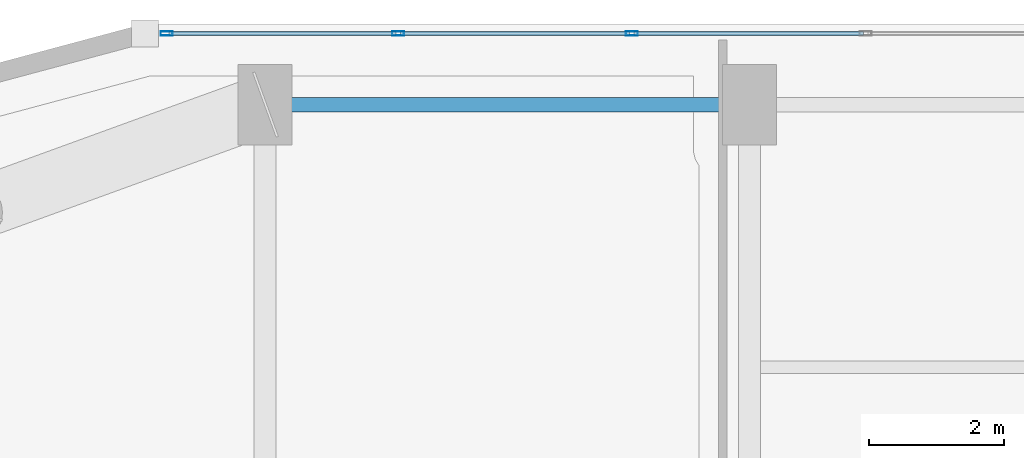
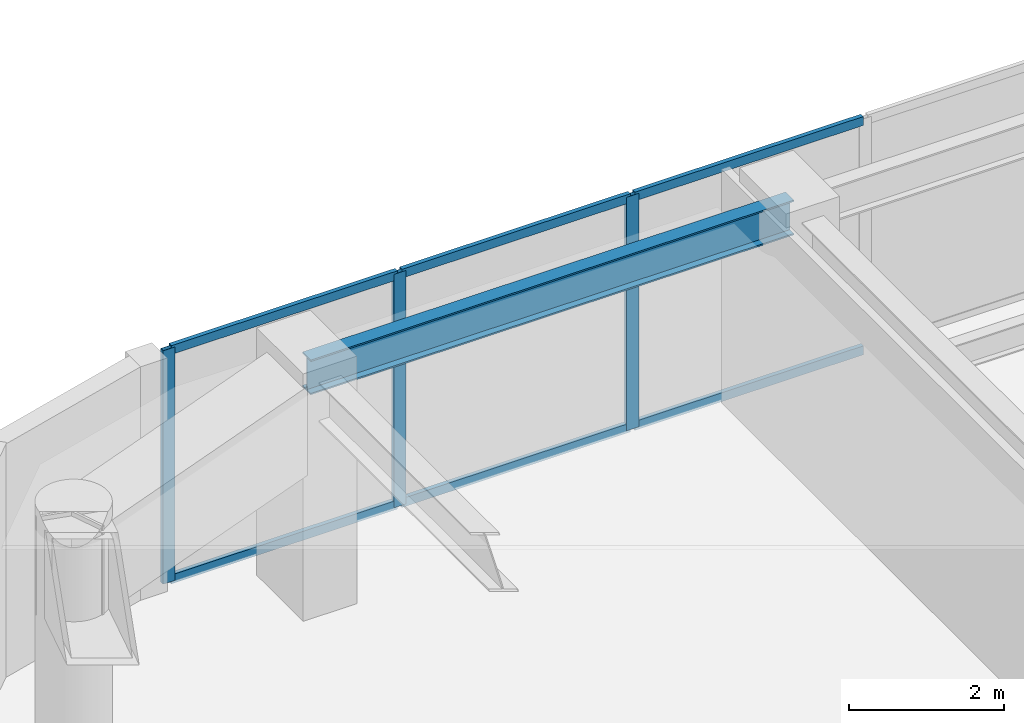
# One storey, part 17 of 30: 9 members, 1 beam, 1 element without a shape of its own.
"""IFC4 building model written with IfcOpenShell, lengths in metres."""

from ifc_helpers import new_model, si_unit, direction, frame, origin, origin_2d, place, context, subcontext, project, spatial, hollow_rectangle, i_section, extrude, material, layer, layer_set, material_profile, profile_set, type_object, element, aggregate, save


model = new_model("IFC4")

# Units and contexts
model_context = context("Model", 3, precision=1e-05, world=origin(), true_north=direction((0.0, 1.0)))
body_context = subcontext(model_context, "Body", "Model", "MODEL_VIEW")
ifc_project = project(units=[si_unit("LENGTHUNIT", "METRE"), si_unit("AREAUNIT", "SQUARE_METRE"), si_unit("VOLUMEUNIT", "CUBIC_METRE"), si_unit("PLANEANGLEUNIT", "RADIAN"), si_unit("MASSUNIT", "GRAM", prefix="KILO")], contexts=[model_context])

# Site, building, storey
site_placement = place(None, origin())
site = spatial("IfcSite", under=ifc_project, at=site_placement, CompositionType="ELEMENT")
building_placement = place(site_placement, origin())
building = spatial("IfcBuilding", under=site, at=building_placement, Name="Kiyonajd Concourse Tower", CompositionType="ELEMENT")
storey_placement = place(building_placement, frame((0.0, 0.0, 162.300048828125)))
storey = spatial("IfcBuildingStorey", under=building, at=storey_placement, Name="L41", CompositionType="ELEMENT", Elevation=162.300048828125)

# Beam
ifc_material_1 = material(Name="Steel ASTM A992 Grade 50", Category="steel")
ifc_material_profile_1 = material_profile(ifc_material_1, i_section(OverallWidth=0.214111328125, OverallDepth=0.549072265625, WebThickness=0.0146484375, FlangeThickness=0.023681640625, at=origin_2d()), Name="W530X138")
ifc_profile_set_1 = profile_set([ifc_material_profile_1], Name="Steel ASTM A992 Grade 50")
beam_type = type_object("IfcBeamType", Name="BM-SPAN-530A", PredefinedType="SPANDREL", material=ifc_profile_set_1)
beam_placement = place(storey_placement, frame((32.39990234375, 61.199951171875, 3.405517578125), z_axis=(-1.0, 0.0, 0.0), x_axis=(0.0, -1.0, 0.0)))
element("IfcBeam", 1, at=beam_placement, inside=storey, type_object=beam_type, Name="L41 Perimeter Bundled Tube Spandrel", PredefinedType="SPANDREL", context=body_context, shape_type="SweptSolid", body=[
    extrude(i_section(OverallWidth=0.214111328125, OverallDepth=0.549072265625, WebThickness=0.0146484375, FlangeThickness=0.023681640625, at=origin_2d()), origin(), (0.0, 0.0, 1.0), 7.199951171875),
])

# Curtain wall, members
ifc_material_2 = material(Name="Thermally Broken Anodised Aluminium", Category="aluminium")
ifc_layer = layer(ifc_material_2, 0.179931640625)
ifc_layer_set = layer_set([ifc_layer], Name="Thermally Broken Anodised Aluminium")
curtain_wall_type = type_object("IfcCurtainWallType", Name="CW-SYS-03", PredefinedType="NOTDEFINED", material=ifc_layer_set)
curtain_wall_placement = place(storey_placement, origin())
curtain_wall = element("IfcCurtainWall", 2, at=curtain_wall_placement, inside=storey, type_object=curtain_wall_type, Name="L41 Unitised Curtain Wall CW3", PredefinedType="NOTDEFINED")
ifc_material_profile_2 = material_profile(ifc_material_2, hollow_rectangle(XDim=0.06494140625, YDim=0.179931640625, WallThickness=0.00390625, at=origin_2d()), Name="MULL-65x180")
ifc_profile_set_2 = profile_set([ifc_material_profile_2], Name="Thermally Broken Anodised Aluminium")
member_type_1 = type_object("IfcMemberType", Name="MB-CW-MULL1", PredefinedType="MULLION", material=ifc_profile_set_2)
member_1_placement = place(storey_placement, frame((23.740966796875, 62.260009765625, 0.0), z_axis=(0.0, 0.0, 1.0), x_axis=(0.0, 1.0, 0.0)))
member_1 = element("IfcMember", 3, at=member_1_placement, type_object=member_type_1, Name="CW3 mullion 1", PredefinedType="MULLION", context=body_context, shape_type="SweptSolid", body=[
    extrude(hollow_rectangle(XDim=0.06494140625, YDim=0.179931640625, WallThickness=0.00390625, at=origin_2d()), origin(), (0.0, 0.0, 1.0), 3.679931640625),
])
member_2_placement = place(storey_placement, frame((27.180908203125, 62.260009765625, 0.0), z_axis=(0.0, 0.0, 1.0), x_axis=(0.0, 1.0, 0.0)))
member_2 = element("IfcMember", 4, at=member_2_placement, type_object=member_type_1, Name="CW3 mullion 2", PredefinedType="MULLION", context=body_context, shape_type="SweptSolid", body=[
    extrude(hollow_rectangle(XDim=0.06494140625, YDim=0.179931640625, WallThickness=0.00390625, at=origin_2d()), origin(), (0.0, 0.0, 1.0), 3.679931640625),
])
member_3_placement = place(storey_placement, frame((30.6533203125, 62.260009765625, 0.0), z_axis=(0.0, 0.0, 1.0), x_axis=(0.0, 1.0, 0.0)))
member_3 = element("IfcMember", 5, at=member_3_placement, type_object=member_type_1, Name="CW3 mullion 3", PredefinedType="MULLION", context=body_context, shape_type="SweptSolid", body=[
    extrude(hollow_rectangle(XDim=0.06494140625, YDim=0.179931640625, WallThickness=0.00390625, at=origin_2d()), origin(), (0.0, 0.0, 1.0), 3.679931640625),
])
ifc_material_profile_3 = material_profile(ifc_material_2, hollow_rectangle(XDim=0.06494140625, YDim=0.139892578125, WallThickness=0.00390625, at=origin_2d()), Name="TRAN-65x140")
ifc_profile_set_3 = profile_set([ifc_material_profile_3], Name="Thermally Broken Anodised Aluminium")
member_type_2 = type_object("IfcMemberType", Name="MB-CW-TRAN1", PredefinedType="USERDEFINED", material=ifc_profile_set_3)
member_4_placement = place(storey_placement, frame((23.7734375, 62.260009765625, 0.032470703125), z_axis=(1.0, 0.0, 0.0), x_axis=(0.0, 1.0, 0.0)))
member_4 = element("IfcMember", 6, at=member_4_placement, type_object=member_type_2, Name="CW3 transom 1.1", ObjectType="TRANSOM", PredefinedType="USERDEFINED", context=body_context, shape_type="SweptSolid", body=[
    extrude(hollow_rectangle(XDim=0.06494140625, YDim=0.139892578125, WallThickness=0.00390625, at=origin_2d()), origin(), (0.0, 0.0, 1.0), 3.374755859375),
])
member_5_placement = place(storey_placement, frame((23.7734375, 62.260009765625, 3.6474609375), z_axis=(1.0, 0.0, 0.0), x_axis=(0.0, 1.0, 0.0)))
member_5 = element("IfcMember", 7, at=member_5_placement, type_object=member_type_2, Name="CW3 transom 1.2", ObjectType="TRANSOM", PredefinedType="USERDEFINED", context=body_context, shape_type="SweptSolid", body=[
    extrude(hollow_rectangle(XDim=0.06494140625, YDim=0.139892578125, WallThickness=0.00390625, at=origin_2d()), origin(), (0.0, 0.0, 1.0), 3.374755859375),
])
member_6_placement = place(storey_placement, frame((27.21337890625, 62.260009765625, 0.032470703125), z_axis=(1.0, 0.0, 0.0), x_axis=(0.0, 1.0, 0.0)))
member_6 = element("IfcMember", 8, at=member_6_placement, type_object=member_type_2, Name="CW3 transom 2.1", ObjectType="TRANSOM", PredefinedType="USERDEFINED", context=body_context, shape_type="SweptSolid", body=[
    extrude(hollow_rectangle(XDim=0.06494140625, YDim=0.139892578125, WallThickness=0.00390625, at=origin_2d()), origin(), (0.0, 0.0, 1.0), 3.4072265625),
])
member_7_placement = place(storey_placement, frame((27.21337890625, 62.260009765625, 3.6474609375), z_axis=(1.0, 0.0, 0.0), x_axis=(0.0, 1.0, 0.0)))
member_7 = element("IfcMember", 9, at=member_7_placement, type_object=member_type_2, Name="CW3 transom 2.2", ObjectType="TRANSOM", PredefinedType="USERDEFINED", context=body_context, shape_type="SweptSolid", body=[
    extrude(hollow_rectangle(XDim=0.06494140625, YDim=0.139892578125, WallThickness=0.00390625, at=origin_2d()), origin(), (0.0, 0.0, 1.0), 3.4072265625),
])
member_8_placement = place(storey_placement, frame((30.685791015625, 62.260009765625, 0.032470703125), z_axis=(1.0, 0.0, 0.0), x_axis=(0.0, 1.0, 0.0)))
member_8 = element("IfcMember", 10, at=member_8_placement, type_object=member_type_2, Name="CW3 transom 3.1", ObjectType="TRANSOM", PredefinedType="USERDEFINED", context=body_context, shape_type="SweptSolid", body=[
    extrude(hollow_rectangle(XDim=0.06494140625, YDim=0.139892578125, WallThickness=0.00390625, at=origin_2d()), origin(), (0.0, 0.0, 1.0), 3.4072265625),
])
member_9_placement = place(storey_placement, frame((30.685791015625, 62.260009765625, 3.6474609375), z_axis=(1.0, 0.0, 0.0), x_axis=(0.0, 1.0, 0.0)))
member_9 = element("IfcMember", 11, at=member_9_placement, type_object=member_type_2, Name="CW3 transom 3.2", ObjectType="TRANSOM", PredefinedType="USERDEFINED", context=body_context, shape_type="SweptSolid", body=[
    extrude(hollow_rectangle(XDim=0.06494140625, YDim=0.139892578125, WallThickness=0.00390625, at=origin_2d()), origin(), (0.0, 0.0, 1.0), 3.4072265625),
])
aggregate(curtain_wall, [member_1, member_2, member_3, member_4, member_5, member_6, member_7, member_8, member_9])

save(model, "model.ifc")
